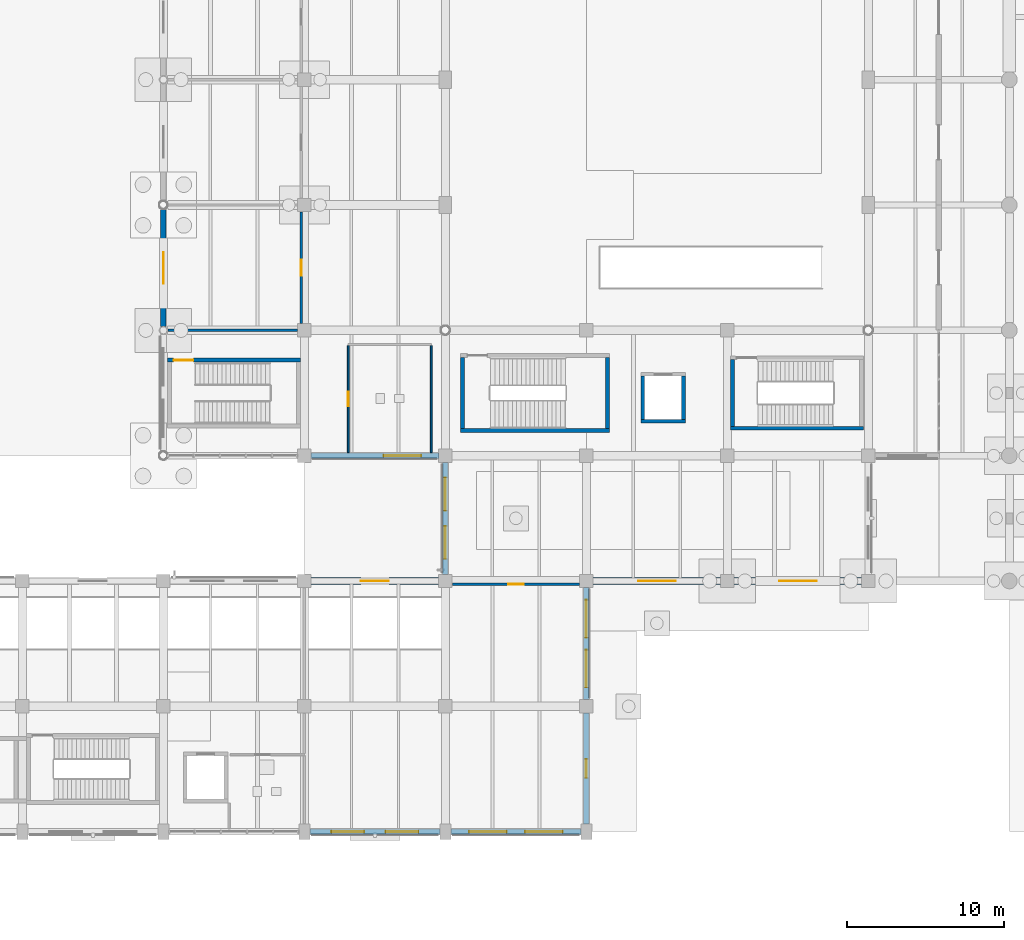
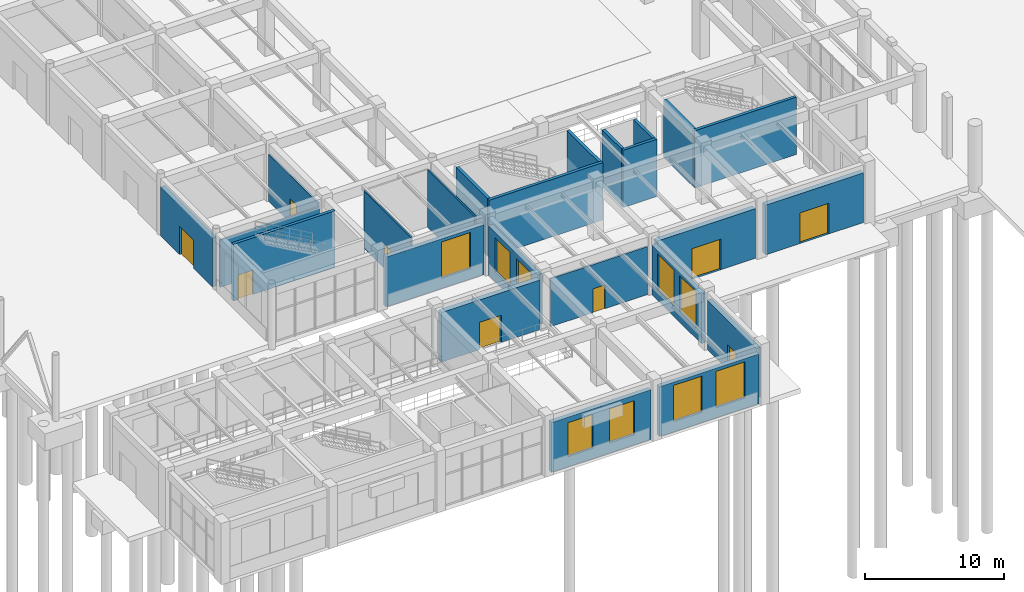
# One storey, part 89 of 121: 24 walls, 9 doors, 9 windows, 18 openings.
"""IFC4 building model written with IfcOpenShell, lengths in metres."""

from ifc_helpers import new_model, si_unit, derived_unit, direction, frame, frame_2d, origin, place, context, subcontext, project, spatial, rectangle, extrude, material, layer, layer_set, type_object, element, fill, save


model = new_model("IFC4")

# Units and contexts
model_context = context("Model", 3, precision=1e-05, world=origin(), true_north=direction((0.0, 1.0)))
body_context = subcontext(model_context, "Body", "Model", "MODEL_VIEW")
ifc_project = project(units=[si_unit("LENGTHUNIT", "METRE"), si_unit("AREAUNIT", "SQUARE_METRE"), si_unit("VOLUMEUNIT", "CUBIC_METRE"), si_unit("PLANEANGLEUNIT", "RADIAN"), si_unit("MASSUNIT", "GRAM", prefix="KILO"), derived_unit("THERMALTRANSMITTANCEUNIT", [(si_unit("MASSUNIT", "GRAM", prefix="KILO"), 1), (si_unit("TIMEUNIT", "SECOND"), -3), (si_unit("THERMODYNAMICTEMPERATUREUNIT", "KELVIN"), -1)])], contexts=[model_context])

# Site, building, storey
site_placement = place(None, origin())
site = spatial("IfcSite", under=ifc_project, at=site_placement, CompositionType="ELEMENT")
building_placement = place(site_placement, origin())
building = spatial("IfcBuilding", under=site, at=building_placement, Name="Zhenchuan Archway Interchange", CompositionType="ELEMENT")
storey_placement = place(building_placement, origin())
storey = spatial("IfcBuildingStorey", under=building, at=storey_placement, Name="L00", CompositionType="ELEMENT", Elevation=0.0)

# Wall, opening, door
ifc_material_1 = material(Name="Granite Stone Cladding", Category="masonry")
ifc_layer_1 = layer(ifc_material_1, 0.419921875)
ifc_layer_set_1 = layer_set([ifc_layer_1], Name="Granite Stone Cladding")
wall_type_1 = type_object("IfcWallType", Name="EW_GRANITE_420", PredefinedType="STANDARD", material=ifc_layer_set_1)
wall_1_placement = place(storey_placement, frame((62.576904296875, 16.0, 0.0), z_axis=(0.0, 0.0, 1.0), x_axis=(-1.0, 0.0, 0.0)))
wall_1 = element("IfcWall", 1, at=wall_1_placement, inside=storey, type_object=wall_type_1, Name="Exterior wall L00-042", PredefinedType="STANDARD", context=body_context, shape_type="SweptSolid", body=[
    extrude(rectangle(XDim=8.15380859375, YDim=0.419921875, at=frame_2d((4.076904296875, 0.0))), origin(), (0.0, 0.0, 1.0), 4.3798828125),
])
opening_1_placement = place(wall_1_placement, frame((2.876953125, 0.0, 0.0)))
opening_1 = element("IfcOpeningElement", 2, at=opening_1_placement, cuts=wall_1, Name="Opening ED-01", PredefinedType="OPENING", context=body_context, shape_type="SweptSolid", body=[
    extrude(rectangle(XDim=2.39990234375, YDim=2.699951171875, at=frame_2d((1.199951171875, 1.35009765625))), frame((0.0, 0.221923828125, 0.0), z_axis=(0.0, -1.0, 0.0), x_axis=(1.0, 0.0, 0.0)), (0.0, 0.0, 1.0), 0.44384765625),
])
ifc_material_2 = material(Name="Anodised Aluminium", Category="aluminium")
door_type_1 = type_object("IfcDoorType", Name="ED_MAIN_2400x2700", OperationType="DOUBLE_DOOR_SINGLE_SWING", PredefinedType="DOOR", material=ifc_material_2)
door_1_placement = place(opening_1_placement, origin())
door_1 = element("IfcDoor", 3, at=door_1_placement, inside=storey, type_object=door_type_1, Name="Exterior entrance door L00-019", OperationType="SINGLE_SWING_LEFT", OverallHeight=2.699951171875, OverallWidth=2.39990234375, PredefinedType="DOOR", context=body_context, shape_type="SweptSolid", body=[
    extrude(rectangle(XDim=2.39990234375, YDim=2.699951171875, at=frame_2d((1.199951171875, 1.35009765625))), frame((0.0, 0.02490234375, 0.0), z_axis=(0.0, -1.0, 0.0), x_axis=(1.0, 0.0, 0.0)), (0.0, 0.0, 1.0), 0.050048828125),
])
fill(opening_1, door_1)

wall_2_placement = place(storey_placement, frame((53.576904296875, 16.0, 0.0), z_axis=(0.0, 0.0, 1.0), x_axis=(-1.0, 0.0, 0.0)))
wall_2 = element("IfcWall", 4, at=wall_2_placement, inside=storey, type_object=wall_type_1, Name="Exterior wall L00-043", PredefinedType="STANDARD", context=body_context, shape_type="SweptSolid", body=[
    extrude(rectangle(XDim=8.15380859375, YDim=0.419921875, at=frame_2d((4.076904296875, 0.0))), origin(), (0.0, 0.0, 1.0), 4.3798828125),
])
opening_2_placement = place(wall_2_placement, frame((2.876953125, 0.0, 0.0)))
opening_2 = element("IfcOpeningElement", 5, at=opening_2_placement, cuts=wall_2, Name="Opening ED-01", PredefinedType="OPENING", context=body_context, shape_type="SweptSolid", body=[
    extrude(rectangle(XDim=2.39990234375, YDim=2.699951171875, at=frame_2d((1.199951171875, 1.35009765625))), frame((0.0, 0.221923828125, 0.0), z_axis=(0.0, -1.0, 0.0), x_axis=(1.0, 0.0, 0.0)), (0.0, 0.0, 1.0), 0.44384765625),
])
door_2_placement = place(opening_2_placement, origin())
door_2 = element("IfcDoor", 6, at=door_2_placement, inside=storey, type_object=door_type_1, Name="Exterior entrance door L00-020", OperationType="SINGLE_SWING_LEFT", OverallHeight=2.699951171875, OverallWidth=2.39990234375, PredefinedType="DOOR", context=body_context, shape_type="SweptSolid", body=[
    extrude(rectangle(XDim=2.39990234375, YDim=2.699951171875, at=frame_2d((1.199951171875, 1.35009765625))), frame((0.0, 0.02490234375, 0.0), z_axis=(0.0, -1.0, 0.0), x_axis=(1.0, 0.0, 0.0)), (0.0, 0.0, 1.0), 0.050048828125),
])
fill(opening_2, door_2)

wall_3_placement = place(storey_placement, frame((27.423095703125, 16.0, 0.0), z_axis=(0.0, 0.0, 1.0), x_axis=(1.0, 0.0, 0.0)))
wall_3 = element("IfcWall", 7, at=wall_3_placement, inside=storey, type_object=wall_type_1, Name="Exterior wall L00-056", PredefinedType="STANDARD", context=body_context, shape_type="SweptSolid", body=[
    extrude(rectangle(XDim=8.15380859375, YDim=0.419921875, at=frame_2d((4.076904296875, 0.0))), origin(), (0.0, 0.0, 1.0), 4.3798828125),
])
opening_3_placement = place(wall_3_placement, frame((3.177001953125, 0.0, 0.0)))
opening_3 = element("IfcOpeningElement", 8, at=opening_3_placement, cuts=wall_3, Name="Opening ED-04", PredefinedType="OPENING", context=body_context, shape_type="SweptSolid", body=[
    extrude(rectangle(XDim=1.800048828125, YDim=2.39990234375, at=frame_2d((0.89990234375, 1.199951171875))), frame((0.0, 0.221923828125, 0.0), z_axis=(0.0, -1.0, 0.0), x_axis=(1.0, 0.0, 0.0)), (0.0, 0.0, 1.0), 0.44384765625),
])
door_type_2 = type_object("IfcDoorType", Name="ED_ENT_1800x2400", OperationType="DOUBLE_DOOR_SINGLE_SWING", PredefinedType="DOOR", material=ifc_material_2)
door_3_placement = place(opening_3_placement, origin())
door_3 = element("IfcDoor", 9, at=door_3_placement, inside=storey, type_object=door_type_2, Name="Exterior entrance door L00-024", OperationType="SINGLE_SWING_LEFT", OverallHeight=2.39990234375, OverallWidth=1.800048828125, PredefinedType="DOOR", context=body_context, shape_type="SweptSolid", body=[
    extrude(rectangle(XDim=1.800048828125, YDim=2.39990234375, at=frame_2d((0.89990234375, 1.199951171875))), frame((0.0, 0.02490234375, 0.0), z_axis=(0.0, -1.0, 0.0), x_axis=(1.0, 0.0, 0.0)), (0.0, 0.0, 1.0), 0.050048828125),
])
fill(opening_3, door_3)

# Wall, openings, windows
ifc_material_3 = material(Name="Terracotta Masonry", Category="masonry")
ifc_layer_2 = layer(ifc_material_3, 0.360107421875)
ifc_layer_set_2 = layer_set([ifc_layer_2], Name="Terracotta Masonry")
wall_type_2 = type_object("IfcWallType", Name="EW_TERRA_360", PredefinedType="STANDARD", material=ifc_layer_set_2)
wall_4_placement = place(storey_placement, frame((36.0, 16.423095703125, 0.0), z_axis=(0.0, 0.0, 1.0), x_axis=(0.0, 1.0, 0.0)))
wall_4 = element("IfcWall", 10, at=wall_4_placement, inside=storey, type_object=wall_type_2, Name="Exterior wall L00-001", PredefinedType="STANDARD", context=body_context, shape_type="SweptSolid", body=[
    extrude(rectangle(XDim=7.15380859375, YDim=0.360107421875, at=frame_2d((3.576904296875, 0.0))), origin(), (0.0, 0.0, 1.0), 4.3798828125),
])
opening_4_placement = place(wall_4_placement, frame((0.984619140625, 0.0, 0.89990234375)))
opening_4 = element("IfcOpeningElement", 11, at=opening_4_placement, cuts=wall_4, Name="Opening W-02", PredefinedType="OPENING", context=body_context, shape_type="SweptSolid", body=[
    extrude(rectangle(XDim=2.10009765625, YDim=3.0, at=frame_2d((1.050048828125, 1.5))), frame((0.0, 0.19189453125, 0.0), z_axis=(0.0, -1.0, 0.0), x_axis=(1.0, 0.0, 0.0)), (0.0, 0.0, 1.0), 0.384033203125),
])
opening_5_placement = place(wall_4_placement, frame((4.0693359375, 0.0, 0.89990234375)))
opening_5 = element("IfcOpeningElement", 12, at=opening_5_placement, cuts=wall_4, Name="Opening W-02", PredefinedType="OPENING", context=body_context, shape_type="SweptSolid", body=[
    extrude(rectangle(XDim=2.10009765625, YDim=3.0, at=frame_2d((1.050048828125, 1.5))), frame((0.0, 0.19189453125, 0.0), z_axis=(0.0, -1.0, 0.0), x_axis=(1.0, 0.0, 0.0)), (0.0, 0.0, 1.0), 0.384033203125),
])
ifc_material_4 = material(Name="Double Low-E Insulated Glazing", Category="glass")
window_type_1 = type_object("IfcWindowType", Name="WN_ARCH_2100x3000", PartitioningType="SINGLE_PANEL", PredefinedType="WINDOW", material=ifc_material_4)
window_1_placement = place(opening_4_placement, origin())
window_1 = element("IfcWindow", 13, at=window_1_placement, inside=storey, type_object=window_type_1, Name="Window L00-0001", OverallHeight=3.0, OverallWidth=2.10009765625, PartitioningType="SINGLE_PANEL", PredefinedType="WINDOW", context=body_context, shape_type="SweptSolid", body=[
    extrude(rectangle(XDim=2.10009765625, YDim=3.0, at=frame_2d((1.050048828125, 1.5))), frame((0.0, 0.030029296875, 0.0), z_axis=(0.0, -1.0, 0.0), x_axis=(1.0, 0.0, 0.0)), (0.0, 0.0, 1.0), 0.06005859375),
])
fill(opening_4, window_1)
window_2_placement = place(opening_5_placement, origin())
window_2 = element("IfcWindow", 14, at=window_2_placement, inside=storey, type_object=window_type_1, Name="Window L00-0002", OverallHeight=3.0, OverallWidth=2.10009765625, PartitioningType="SINGLE_PANEL", PredefinedType="WINDOW", context=body_context, shape_type="SweptSolid", body=[
    extrude(rectangle(XDim=2.10009765625, YDim=3.0, at=frame_2d((1.050048828125, 1.5))), frame((0.0, 0.030029296875, 0.0), z_axis=(0.0, -1.0, 0.0), x_axis=(1.0, 0.0, 0.0)), (0.0, 0.0, 1.0), 0.06005859375),
])
fill(opening_5, window_2)

# Wall, opening, window
wall_5_placement = place(storey_placement, frame((35.576904296875, 24.0, 0.0), z_axis=(0.0, 0.0, 1.0), x_axis=(-1.0, 0.0, 0.0)))
wall_5 = element("IfcWall", 15, at=wall_5_placement, inside=storey, type_object=wall_type_2, Name="Exterior wall L00-002", PredefinedType="STANDARD", context=body_context, shape_type="SweptSolid", body=[
    extrude(rectangle(XDim=8.15380859375, YDim=0.360107421875, at=frame_2d((4.076904296875, 0.0))), origin(), (0.0, 0.0, 1.0), 4.3798828125),
])
opening_6_placement = place(wall_5_placement, frame((1.117919921875, 0.0, 0.89990234375)))
opening_6 = element("IfcOpeningElement", 16, at=opening_6_placement, cuts=wall_5, Name="Opening W-01", PredefinedType="OPENING", context=body_context, shape_type="SweptSolid", body=[
    extrude(rectangle(XDim=2.39990234375, YDim=3.199951171875, at=frame_2d((1.199951171875, 1.60009765625))), frame((0.0, 0.19189453125, 0.0), z_axis=(0.0, -1.0, 0.0), x_axis=(1.0, 0.0, 0.0)), (0.0, 0.0, 1.0), 0.384033203125),
])
window_type_2 = type_object("IfcWindowType", Name="WN_ARCH_2400x3200", PartitioningType="SINGLE_PANEL", PredefinedType="WINDOW", material=ifc_material_4)
window_3_placement = place(opening_6_placement, origin())
window_3 = element("IfcWindow", 17, at=window_3_placement, inside=storey, type_object=window_type_2, Name="Window L00-0003", OverallHeight=3.199951171875, OverallWidth=2.39990234375, PartitioningType="SINGLE_PANEL", PredefinedType="WINDOW", context=body_context, shape_type="SweptSolid", body=[
    extrude(rectangle(XDim=2.39990234375, YDim=3.199951171875, at=frame_2d((1.199951171875, 1.60009765625))), frame((0.0, 0.030029296875, 0.0), z_axis=(0.0, -1.0, 0.0), x_axis=(1.0, 0.0, 0.0)), (0.0, 0.0, 1.0), 0.06005859375),
])
fill(opening_6, window_3)

# Wall, opening, door
wall_6_placement = place(storey_placement, frame((18.0, 32.2509765625, 0.0), z_axis=(0.0, 0.0, 1.0), x_axis=(0.0, 1.0, 0.0)))
wall_6 = element("IfcWall", 18, at=wall_6_placement, inside=storey, type_object=wall_type_2, Name="Exterior wall L00-005", PredefinedType="STANDARD", context=body_context, shape_type="SweptSolid", body=[
    extrude(rectangle(XDim=7.472412109375, YDim=0.360107421875, at=frame_2d((3.736328125, 0.0))), origin(), (0.0, 0.0, 1.0), 4.320068359375),
])
opening_7_placement = place(wall_6_placement, frame((2.736328125, 0.0, 0.0)))
opening_7 = element("IfcOpeningElement", 19, at=opening_7_placement, cuts=wall_6, Name="Opening ED-03", PredefinedType="OPENING", context=body_context, shape_type="SweptSolid", body=[
    extrude(rectangle(XDim=2.0, YDim=2.5, at=frame_2d((1.0, 1.25))), frame((0.0, 0.19189453125, 0.0), z_axis=(0.0, -1.0, 0.0), x_axis=(1.0, 0.0, 0.0)), (0.0, 0.0, 1.0), 0.384033203125),
])
door_type_3 = type_object("IfcDoorType", Name="ED_BUS_2000x2500", OperationType="SLIDING_TO_LEFT", PredefinedType="DOOR", material=ifc_material_2)
door_4_placement = place(opening_7_placement, origin())
door_4 = element("IfcDoor", 20, at=door_4_placement, inside=storey, type_object=door_type_3, Name="Exterior entrance door L00-001", OperationType="SINGLE_SWING_LEFT", OverallHeight=2.5, OverallWidth=2.0, PredefinedType="DOOR", context=body_context, shape_type="SweptSolid", body=[
    extrude(rectangle(XDim=2.0, YDim=2.5, at=frame_2d((1.0, 1.25))), frame((0.0, 0.02490234375, 0.0), z_axis=(0.0, -1.0, 0.0), x_axis=(1.0, 0.0, 0.0)), (0.0, 0.0, 1.0), 0.050048828125),
])
fill(opening_7, door_4)

# Wall, openings, windows
wall_7_placement = place(storey_placement, frame((45.0, 15.576904296875, 0.0), z_axis=(0.0, 0.0, 1.0), x_axis=(0.0, -1.0, 0.0)))
wall_7 = element("IfcWall", 21, at=wall_7_placement, inside=storey, type_object=wall_type_2, Name="Exterior wall L00-044", PredefinedType="STANDARD", context=body_context, shape_type="SweptSolid", body=[
    extrude(rectangle(XDim=7.15380859375, YDim=0.360107421875, at=frame_2d((3.576904296875, 0.0))), origin(), (0.0, 0.0, 1.0), 4.3798828125),
])
opening_8_placement = place(wall_7_placement, frame((0.78466796875, 0.0, 0.89990234375)))
opening_8 = element("IfcOpeningElement", 22, at=opening_8_placement, cuts=wall_7, Name="Opening W-01", PredefinedType="OPENING", context=body_context, shape_type="SweptSolid", body=[
    extrude(rectangle(XDim=2.39990234375, YDim=3.199951171875, at=frame_2d((1.199951171875, 1.60009765625))), frame((0.0, 0.19189453125, 0.0), z_axis=(0.0, -1.0, 0.0), x_axis=(1.0, 0.0, 0.0)), (0.0, 0.0, 1.0), 0.384033203125),
])
opening_9_placement = place(wall_7_placement, frame((3.96923828125, 0.0, 0.89990234375)))
opening_9 = element("IfcOpeningElement", 23, at=opening_9_placement, cuts=wall_7, Name="Opening W-01", PredefinedType="OPENING", context=body_context, shape_type="SweptSolid", body=[
    extrude(rectangle(XDim=2.39990234375, YDim=3.199951171875, at=frame_2d((1.199951171875, 1.60009765625))), frame((0.0, 0.19189453125, 0.0), z_axis=(0.0, -1.0, 0.0), x_axis=(1.0, 0.0, 0.0)), (0.0, 0.0, 1.0), 0.384033203125),
])
window_4_placement = place(opening_8_placement, origin())
window_4 = element("IfcWindow", 24, at=window_4_placement, inside=storey, type_object=window_type_2, Name="Window L00-0027", OverallHeight=3.199951171875, OverallWidth=2.39990234375, PartitioningType="SINGLE_PANEL", PredefinedType="WINDOW", context=body_context, shape_type="SweptSolid", body=[
    extrude(rectangle(XDim=2.39990234375, YDim=3.199951171875, at=frame_2d((1.199951171875, 1.60009765625))), frame((0.0, 0.030029296875, 0.0), z_axis=(0.0, -1.0, 0.0), x_axis=(1.0, 0.0, 0.0)), (0.0, 0.0, 1.0), 0.06005859375),
])
fill(opening_8, window_4)
window_5_placement = place(opening_9_placement, origin())
window_5 = element("IfcWindow", 25, at=window_5_placement, inside=storey, type_object=window_type_2, Name="Window L00-0028", OverallHeight=3.199951171875, OverallWidth=2.39990234375, PartitioningType="SINGLE_PANEL", PredefinedType="WINDOW", context=body_context, shape_type="SweptSolid", body=[
    extrude(rectangle(XDim=2.39990234375, YDim=3.199951171875, at=frame_2d((1.199951171875, 1.60009765625))), frame((0.0, 0.030029296875, 0.0), z_axis=(0.0, -1.0, 0.0), x_axis=(1.0, 0.0, 0.0)), (0.0, 0.0, 1.0), 0.06005859375),
])
fill(opening_9, window_5)

# Wall, opening, door
wall_8_placement = place(storey_placement, frame((45.0, 7.576904296875, 0.0), z_axis=(0.0, 0.0, 1.0), x_axis=(0.0, -1.0, 0.0)))
wall_8 = element("IfcWall", 26, at=wall_8_placement, inside=storey, type_object=wall_type_2, Name="Exterior wall L00-045", PredefinedType="STANDARD", context=body_context, shape_type="SweptSolid", body=[
    extrude(rectangle(XDim=7.078857421875, YDim=0.360107421875, at=frame_2d((3.53955078125, 0.0))), origin(), (0.0, 0.0, 1.0), 4.3798828125),
])
opening_10_placement = place(wall_8_placement, frame((2.939453125, 0.0, 0.0)))
opening_10 = element("IfcOpeningElement", 27, at=opening_10_placement, cuts=wall_8, Name="Opening ED-06", PredefinedType="OPENING", context=body_context, shape_type="SweptSolid", body=[
    extrude(rectangle(XDim=1.199951171875, YDim=2.199951171875, at=frame_2d((0.60009765625, 1.10009765625))), frame((0.0, 0.19189453125, 0.0), z_axis=(0.0, -1.0, 0.0), x_axis=(1.0, 0.0, 0.0)), (0.0, 0.0, 1.0), 0.384033203125),
])
ifc_material_5 = material(Name="Painted Galvanised Steel", Category="steel")
door_type_4 = type_object("IfcDoorType", Name="ED_EXIT_1200x2200", OperationType="NOTDEFINED", PredefinedType="DOOR", material=ifc_material_5)
door_5_placement = place(opening_10_placement, origin())
door_5 = element("IfcDoor", 28, at=door_5_placement, inside=storey, type_object=door_type_4, Name="Exterior entrance door L00-021", OperationType="SINGLE_SWING_LEFT", OverallHeight=2.199951171875, OverallWidth=1.199951171875, PredefinedType="DOOR", context=body_context, shape_type="SweptSolid", body=[
    extrude(rectangle(XDim=1.199951171875, YDim=2.199951171875, at=frame_2d((0.60009765625, 1.10009765625))), frame((0.0, 0.02490234375, 0.0), z_axis=(0.0, -1.0, 0.0), x_axis=(1.0, 0.0, 0.0)), (0.0, 0.0, 1.0), 0.050048828125),
])
fill(opening_10, door_5)

# Wall, openings, windows
wall_9_placement = place(storey_placement, frame((44.652099609375, 0.0, 0.0), z_axis=(0.0, 0.0, 1.0), x_axis=(-1.0, 0.0, 0.0)))
wall_9 = element("IfcWall", 29, at=wall_9_placement, inside=storey, type_object=wall_type_2, Name="Exterior wall L00-046", PredefinedType="STANDARD", context=body_context, shape_type="SweptSolid", body=[
    extrude(rectangle(XDim=8.30419921875, YDim=0.360107421875, at=frame_2d((4.152099609375, 0.0))), origin(), (0.0, 0.0, 1.0), 4.3798828125),
])
opening_11_placement = place(wall_9_placement, frame((1.16796875, 0.0, 0.89990234375)))
opening_11 = element("IfcOpeningElement", 30, at=opening_11_placement, cuts=wall_9, Name="Opening W-01", PredefinedType="OPENING", context=body_context, shape_type="SweptSolid", body=[
    extrude(rectangle(XDim=2.39990234375, YDim=3.199951171875, at=frame_2d((1.199951171875, 1.60009765625))), frame((0.0, 0.19189453125, 0.0), z_axis=(0.0, -1.0, 0.0), x_axis=(1.0, 0.0, 0.0)), (0.0, 0.0, 1.0), 0.384033203125),
])
opening_12_placement = place(wall_9_placement, frame((4.736083984375, 0.0, 0.89990234375)))
opening_12 = element("IfcOpeningElement", 31, at=opening_12_placement, cuts=wall_9, Name="Opening W-01", PredefinedType="OPENING", context=body_context, shape_type="SweptSolid", body=[
    extrude(rectangle(XDim=2.39990234375, YDim=3.199951171875, at=frame_2d((1.199951171875, 1.60009765625))), frame((0.0, 0.19189453125, 0.0), z_axis=(0.0, -1.0, 0.0), x_axis=(1.0, 0.0, 0.0)), (0.0, 0.0, 1.0), 0.384033203125),
])
window_6_placement = place(opening_11_placement, origin())
window_6 = element("IfcWindow", 32, at=window_6_placement, inside=storey, type_object=window_type_2, Name="Window L00-0029", OverallHeight=3.199951171875, OverallWidth=2.39990234375, PartitioningType="SINGLE_PANEL", PredefinedType="WINDOW", context=body_context, shape_type="SweptSolid", body=[
    extrude(rectangle(XDim=2.39990234375, YDim=3.199951171875, at=frame_2d((1.199951171875, 1.60009765625))), frame((0.0, 0.030029296875, 0.0), z_axis=(0.0, -1.0, 0.0), x_axis=(1.0, 0.0, 0.0)), (0.0, 0.0, 1.0), 0.06005859375),
])
fill(opening_11, window_6)
window_7_placement = place(opening_12_placement, origin())
window_7 = element("IfcWindow", 33, at=window_7_placement, inside=storey, type_object=window_type_2, Name="Window L00-0030", OverallHeight=3.199951171875, OverallWidth=2.39990234375, PartitioningType="SINGLE_PANEL", PredefinedType="WINDOW", context=body_context, shape_type="SweptSolid", body=[
    extrude(rectangle(XDim=2.39990234375, YDim=3.199951171875, at=frame_2d((1.199951171875, 1.60009765625))), frame((0.0, 0.030029296875, 0.0), z_axis=(0.0, -1.0, 0.0), x_axis=(1.0, 0.0, 0.0)), (0.0, 0.0, 1.0), 0.06005859375),
])
fill(opening_12, window_7)

wall_10_placement = place(storey_placement, frame((35.652099609375, 0.0, 0.0), z_axis=(0.0, 0.0, 1.0), x_axis=(-1.0, 0.0, 0.0)))
wall_10 = element("IfcWall", 34, at=wall_10_placement, inside=storey, type_object=wall_type_2, Name="Exterior wall L00-047", PredefinedType="STANDARD", context=body_context, shape_type="SweptSolid", body=[
    extrude(rectangle(XDim=8.30419921875, YDim=0.360107421875, at=frame_2d((4.152099609375, 0.0))), origin(), (0.0, 0.0, 1.0), 4.3798828125),
])
opening_13_placement = place(wall_10_placement, frame((1.367919921875, 0.0, 0.89990234375)))
opening_13 = element("IfcOpeningElement", 35, at=opening_13_placement, cuts=wall_10, Name="Opening W-02", PredefinedType="OPENING", context=body_context, shape_type="SweptSolid", body=[
    extrude(rectangle(XDim=2.10009765625, YDim=3.0, at=frame_2d((1.050048828125, 1.5))), frame((0.0, 0.19189453125, 0.0), z_axis=(0.0, -1.0, 0.0), x_axis=(1.0, 0.0, 0.0)), (0.0, 0.0, 1.0), 0.384033203125),
])
opening_14_placement = place(wall_10_placement, frame((4.8359375, 0.0, 0.89990234375)))
opening_14 = element("IfcOpeningElement", 36, at=opening_14_placement, cuts=wall_10, Name="Opening W-02", PredefinedType="OPENING", context=body_context, shape_type="SweptSolid", body=[
    extrude(rectangle(XDim=2.10009765625, YDim=3.0, at=frame_2d((1.050048828125, 1.5))), frame((0.0, 0.19189453125, 0.0), z_axis=(0.0, -1.0, 0.0), x_axis=(1.0, 0.0, 0.0)), (0.0, 0.0, 1.0), 0.384033203125),
])
window_8_placement = place(opening_13_placement, origin())
window_8 = element("IfcWindow", 37, at=window_8_placement, inside=storey, type_object=window_type_1, Name="Window L00-0031", OverallHeight=3.0, OverallWidth=2.10009765625, PartitioningType="SINGLE_PANEL", PredefinedType="WINDOW", context=body_context, shape_type="SweptSolid", body=[
    extrude(rectangle(XDim=2.10009765625, YDim=3.0, at=frame_2d((1.050048828125, 1.5))), frame((0.0, 0.030029296875, 0.0), z_axis=(0.0, -1.0, 0.0), x_axis=(1.0, 0.0, 0.0)), (0.0, 0.0, 1.0), 0.06005859375),
])
fill(opening_13, window_8)
window_9_placement = place(opening_14_placement, origin())
window_9 = element("IfcWindow", 38, at=window_9_placement, inside=storey, type_object=window_type_1, Name="Window L00-0032", OverallHeight=3.0, OverallWidth=2.10009765625, PartitioningType="SINGLE_PANEL", PredefinedType="WINDOW", context=body_context, shape_type="SweptSolid", body=[
    extrude(rectangle(XDim=2.10009765625, YDim=3.0, at=frame_2d((1.050048828125, 1.5))), frame((0.0, 0.030029296875, 0.0), z_axis=(0.0, -1.0, 0.0), x_axis=(1.0, 0.0, 0.0)), (0.0, 0.0, 1.0), 0.06005859375),
])
fill(opening_14, window_9)

# Walls
ifc_material_6 = material(Name="Concrete C40", Category="concrete")
ifc_layer_3 = layer(ifc_material_6, 0.239990234375)
ifc_layer_set_3 = layer_set([ifc_layer_3], Name="Concrete C40")
wall_type_3 = type_object("IfcWallType", Name="WL_LIFT_240", PredefinedType="SHEAR", material=ifc_layer_set_3)
wall_11_placement = place(storey_placement, frame((48.47998046875, 26.199951171875, 0.0), z_axis=(0.0, 0.0, 1.0), x_axis=(1.0, 0.0, 0.0)))
element("IfcWall", 39, at=wall_11_placement, inside=storey, type_object=wall_type_3, Name="Lift LF-01 south shaft wall (L00)", PredefinedType="SHEAR", context=body_context, shape_type="SweptSolid", body=[
    extrude(rectangle(XDim=2.840087890625, YDim=0.239990234375, at=frame_2d((1.419921875, 0.0))), origin(), (0.0, 0.0, 1.0), 5.050048828125),
])
for number, where, z_axis, x_axis, name in (
    (40, (48.60009765625, 29.080078125, 0.0), (0.0, 0.0, 1.0), (0.0, -1.0, 0.0), "Lift LF-01 west shaft wall (L00)"),
    (41, (51.199951171875, 26.320068359375, 0.0), (0.0, 0.0, 1.0), (0.0, 1.0, 0.0), "Lift LF-01 east shaft wall (L00)"),
):
    element("IfcWall", number, at=place(storey_placement, frame(where, z_axis=z_axis, x_axis=x_axis)), inside=storey, type_object=wall_type_3, Name=name, PredefinedType="SHEAR", context=body_context, shape_type="SweptSolid", body=[
        extrude(rectangle(XDim=2.760009765625, YDim=0.239990234375, at=frame_2d((1.3798828125, 0.0))), origin(), (0.0, 0.0, 1.0), 5.050048828125),
    ])
ifc_material_7 = material(Name="Gypsum Plasterboard", Category="gypsum")
ifc_layer_4 = layer(ifc_material_7, 0.14990234375)
ifc_layer_set_4 = layer_set([ifc_layer_4], Name="Gypsum Plasterboard")
wall_type_4 = type_object("IfcWallType", Name="WL_PART_150", PredefinedType="STANDARD", material=ifc_layer_set_4)
wall_12_placement = place(storey_placement, frame((18.279052734375, 32.0, 0.0), z_axis=(0.0, 0.0, 1.0), x_axis=(1.0, 0.0, 0.0)))
element("IfcWall", 42, at=wall_12_placement, inside=storey, type_object=wall_type_4, Name="Bus Bay 01 Boarding Gate S partition (L00)", PredefinedType="STANDARD", context=body_context, shape_type="SweptSolid", body=[
    extrude(rectangle(XDim=8.27099609375, YDim=0.14990234375, at=frame_2d((4.135498046875, 0.0))), origin(), (0.0, 0.0, 1.0), 4.169921875),
])

# Wall, opening, door
wall_13_placement = place(storey_placement, frame((26.800048828125, 32.449951171875, 0.0), z_axis=(0.0, 0.0, 1.0), x_axis=(0.0, 1.0, 0.0)))
wall_13 = element("IfcWall", 43, at=wall_13_placement, inside=storey, type_object=wall_type_4, Name="Bus Bay 01 Boarding Gate E partition (L00)", PredefinedType="STANDARD", context=body_context, shape_type="SweptSolid", body=[
    extrude(rectangle(XDim=7.10009765625, YDim=0.14990234375, at=frame_2d((3.550048828125, 0.0))), origin(), (0.0, 0.0, 1.0), 4.169921875),
])
opening_15_placement = place(wall_13_placement, frame((3.050048828125, 0.0, 0.0)))
opening_15 = element("IfcOpeningElement", 44, at=opening_15_placement, cuts=wall_13, Name="Opening ID-02", PredefinedType="OPENING", context=body_context, shape_type="SweptSolid", body=[
    extrude(rectangle(XDim=1.0, YDim=2.10009765625, at=frame_2d((0.5, 1.050048828125))), frame((0.0, 0.0869140625, 0.0), z_axis=(0.0, -1.0, 0.0), x_axis=(1.0, 0.0, 0.0)), (0.0, 0.0, 1.0), 0.173828125),
])
ifc_material_8 = material(Name="Hardwood Timber", Category="wood")
door_type_5 = type_object("IfcDoorType", Name="DR_OPS_100", OperationType="NOTDEFINED", PredefinedType="DOOR", material=ifc_material_8)
door_6_placement = place(opening_15_placement, origin())
door_6 = element("IfcDoor", 45, at=door_6_placement, inside=storey, type_object=door_type_5, Name="Bus Bay 01 Boarding Gate door (L00)", OperationType="SINGLE_SWING_LEFT", OverallHeight=2.10009765625, OverallWidth=1.0, PredefinedType="DOOR", context=body_context, shape_type="SweptSolid", body=[
    extrude(rectangle(XDim=1.0, YDim=2.10009765625, at=frame_2d((0.5, 1.050048828125))), frame((0.0, 0.02490234375, 0.0), z_axis=(0.0, -1.0, 0.0), x_axis=(1.0, 0.0, 0.0)), (0.0, 0.0, 1.0), 0.050048828125),
])
fill(opening_15, door_6)

wall_14_placement = place(storey_placement, frame((36.449951171875, 15.800048828125, 0.0), z_axis=(0.0, 0.0, 1.0), x_axis=(1.0, 0.0, 0.0)))
wall_14 = element("IfcWall", 46, at=wall_14_placement, inside=storey, type_object=wall_type_4, Name="Cycle Repair and Servicing Workshop N partition (L00)", PredefinedType="STANDARD", context=body_context, shape_type="SweptSolid", body=[
    extrude(rectangle(XDim=8.10009765625, YDim=0.14990234375, at=frame_2d((4.050048828125, 0.0))), origin(), (0.0, 0.0, 1.0), 4.22998046875),
])
opening_16_placement = place(wall_14_placement, frame((3.550048828125, 0.0, 0.0)))
opening_16 = element("IfcOpeningElement", 47, at=opening_16_placement, cuts=wall_14, Name="Opening ID-02", PredefinedType="OPENING", context=body_context, shape_type="SweptSolid", body=[
    extrude(rectangle(XDim=1.0, YDim=2.10009765625, at=frame_2d((0.5, 1.050048828125))), frame((0.0, 0.0869140625, 0.0), z_axis=(0.0, -1.0, 0.0), x_axis=(1.0, 0.0, 0.0)), (0.0, 0.0, 1.0), 0.173828125),
])
door_7_placement = place(opening_16_placement, origin())
door_7 = element("IfcDoor", 48, at=door_7_placement, inside=storey, type_object=door_type_5, Name="Cycle Repair and Servicing Workshop door (L00)", OperationType="SINGLE_SWING_RIGHT", OverallHeight=2.10009765625, OverallWidth=1.0, PredefinedType="DOOR", context=body_context, shape_type="SweptSolid", body=[
    extrude(rectangle(XDim=1.0, YDim=2.10009765625, at=frame_2d((0.5, 1.050048828125))), frame((0.0, 0.02490234375, 0.0), z_axis=(0.0, -1.0, 0.0), x_axis=(1.0, 0.0, 0.0)), (0.0, 0.0, 1.0), 0.050048828125),
])
fill(opening_16, door_7)

# Walls
ifc_layer_5 = layer(ifc_material_6, 0.25)
ifc_layer_set_5 = layer_set([ifc_layer_5], Name="Concrete C40")
wall_type_5 = type_object("IfcWallType", Name="WL_STAIR_250", PredefinedType="SHEAR", material=ifc_layer_set_5)
wall_15_placement = place(storey_placement, frame((36.97509765625, 25.60009765625, 0.0), z_axis=(0.0, 0.0, 1.0), x_axis=(1.0, 0.0, 0.0)))
element("IfcWall", 49, at=wall_15_placement, inside=storey, type_object=wall_type_5, Name="Stair ST-M1 south wall (L00)", PredefinedType="SHEAR", context=body_context, shape_type="SweptSolid", body=[
    extrude(rectangle(XDim=9.5, YDim=0.25, at=frame_2d((4.75, 0.0))), origin(), (0.0, 0.0, 1.0), 5.050048828125),
])
for number, where, z_axis, x_axis, name in (
    (50, (37.10009765625, 30.27490234375, 0.0), (0.0, 0.0, 1.0), (0.0, -1.0, 0.0), "Stair ST-M1 west wall (L00)"),
    (51, (46.35009765625, 25.72509765625, 0.0), (0.0, 0.0, 1.0), (0.0, 1.0, 0.0), "Stair ST-M1 east wall (L00)"),
):
    element("IfcWall", number, at=place(storey_placement, frame(where, z_axis=z_axis, x_axis=x_axis)), inside=storey, type_object=wall_type_5, Name=name, PredefinedType="SHEAR", context=body_context, shape_type="SweptSolid", body=[
        extrude(rectangle(XDim=4.5498046875, YDim=0.25, at=frame_2d((2.27490234375, 0.0))), origin(), (0.0, 0.0, 1.0), 5.050048828125),
    ])
wall_16_placement = place(storey_placement, frame((54.195068359375, 25.75, 0.0), z_axis=(0.0, 0.0, 1.0), x_axis=(1.0, 0.0, 0.0)))
element("IfcWall", 52, at=wall_16_placement, inside=storey, type_object=wall_type_5, Name="Stair ST-M3 south wall (L00)", PredefinedType="SHEAR", context=body_context, shape_type="SweptSolid", body=[
    extrude(rectangle(XDim=8.489990234375, YDim=0.25, at=frame_2d((4.2451171875, 0.0))), origin(), (0.0, 0.0, 1.0), 5.050048828125),
])
wall_17_placement = place(storey_placement, frame((54.320068359375, 30.125, 0.0), z_axis=(0.0, 0.0, 1.0), x_axis=(0.0, -1.0, 0.0)))
element("IfcWall", 53, at=wall_17_placement, inside=storey, type_object=wall_type_5, Name="Stair ST-M3 west wall (L00)", PredefinedType="SHEAR", context=body_context, shape_type="SweptSolid", body=[
    extrude(rectangle(XDim=4.25, YDim=0.25, at=frame_2d((2.125, 0.0))), origin(), (0.0, 0.0, 1.0), 5.050048828125),
])

# Wall, opening, door
wall_18_placement = place(storey_placement, frame((26.7451171875, 30.10009765625, 0.0), z_axis=(0.0, 0.0, 1.0), x_axis=(-1.0, 0.0, 0.0)))
wall_18 = element("IfcWall", 54, at=wall_18_placement, inside=storey, type_object=wall_type_5, Name="Stair ST-B1 north wall (L00)", PredefinedType="SHEAR", context=body_context, shape_type="SweptSolid", body=[
    extrude(rectangle(XDim=8.490234375, YDim=0.25, at=frame_2d((4.2451171875, 0.0))), origin(), (0.0, 0.0, 1.0), 4.989990234375),
])
opening_17_placement = place(wall_18_placement, frame((6.8349609375, 0.0, 0.0)))
opening_17 = element("IfcOpeningElement", 55, at=opening_17_placement, cuts=wall_18, Name="Opening FD-01", PredefinedType="OPENING", context=body_context, shape_type="SweptSolid", body=[
    extrude(rectangle(XDim=1.25, YDim=2.14990234375, at=frame_2d((0.625, 1.074951171875))), frame((0.0, 0.136962890625, 0.0), z_axis=(0.0, -1.0, 0.0), x_axis=(1.0, 0.0, 0.0)), (0.0, 0.0, 1.0), 0.27392578125),
])
door_type_6 = type_object("IfcDoorType", Name="DR_STAIR_FD90", OperationType="NOTDEFINED", PredefinedType="DOOR", material=ifc_material_5)
door_8_placement = place(opening_17_placement, frame((1.25, 0.0, 0.0), z_axis=(0.0, 0.0, 1.0), x_axis=(-1.0, 0.0, 0.0)))
door_8 = element("IfcDoor", 56, at=door_8_placement, inside=storey, type_object=door_type_6, Name="Stair ST-B1 fire door (L00)", OperationType="SINGLE_SWING_LEFT", OverallHeight=2.14990234375, OverallWidth=1.25, PredefinedType="DOOR", context=body_context, shape_type="SweptSolid", body=[
    extrude(rectangle(XDim=1.25, YDim=2.14990234375, at=frame_2d((0.625, 1.074951171875))), frame((0.0, 0.02490234375, 0.0), z_axis=(0.0, -1.0, 0.0), x_axis=(1.0, 0.0, 0.0)), (0.0, 0.0, 1.0), 0.050048828125),
])
fill(opening_17, door_8)

ifc_layer_6 = layer(ifc_material_7, 0.1201171875)
ifc_layer_set_6 = layer_set([ifc_layer_6], Name="Gypsum Plasterboard")
wall_type_6 = type_object("IfcWallType", Name="WL_WC_120", PredefinedType="STANDARD", material=ifc_layer_set_6)
wall_19_placement = place(storey_placement, frame((29.800048828125, 24.199951171875, 0.0), z_axis=(0.0, 0.0, 1.0), x_axis=(0.0, 1.0, 0.0)))
wall_19 = element("IfcWall", 57, at=wall_19_placement, inside=storey, type_object=wall_type_6, Name="Concourse Public Restroom L00 W partition (L00)", PredefinedType="STANDARD", context=body_context, shape_type="SweptSolid", body=[
    extrude(rectangle(XDim=6.830078125, YDim=0.1201171875, at=frame_2d((3.4150390625, 0.0))), origin(), (0.0, 0.0, 1.0), 5.050048828125),
])
opening_18_placement = place(wall_19_placement, frame((2.93994140625, 0.0, 0.0)))
opening_18 = element("IfcOpeningElement", 58, at=opening_18_placement, cuts=wall_19, Name="Opening ID-03", PredefinedType="OPENING", context=body_context, shape_type="SweptSolid", body=[
    extrude(rectangle(XDim=0.949951171875, YDim=2.10009765625, at=frame_2d((0.47509765625, 1.050048828125))), frame((0.0, 0.072021484375, 0.0), z_axis=(0.0, -1.0, 0.0), x_axis=(1.0, 0.0, 0.0)), (0.0, 0.0, 1.0), 0.14404296875),
])
door_type_7 = type_object("IfcDoorType", Name="DR_WC_95", OperationType="NOTDEFINED", PredefinedType="DOOR", material=ifc_material_8)
door_9_placement = place(opening_18_placement, origin())
door_9 = element("IfcDoor", 59, at=door_9_placement, inside=storey, type_object=door_type_7, Name="Concourse Public Restroom L00 door (L00)", OperationType="SINGLE_SWING_RIGHT", OverallHeight=2.10009765625, OverallWidth=0.949951171875, PredefinedType="DOOR", context=body_context, shape_type="SweptSolid", body=[
    extrude(rectangle(XDim=0.949951171875, YDim=2.10009765625, at=frame_2d((0.47509765625, 1.050048828125))), frame((0.0, 0.02490234375, 0.0), z_axis=(0.0, -1.0, 0.0), x_axis=(1.0, 0.0, 0.0)), (0.0, 0.0, 1.0), 0.050048828125),
])
fill(opening_18, door_9)

# Wall
wall_20_placement = place(storey_placement, frame((35.10009765625, 24.199951171875, 0.0), z_axis=(0.0, 0.0, 1.0), x_axis=(0.0, 1.0, 0.0)))
element("IfcWall", 60, at=wall_20_placement, inside=storey, type_object=wall_type_6, Name="Concourse Public Restroom L00 E partition (L00)", PredefinedType="STANDARD", context=body_context, shape_type="SweptSolid", body=[
    extrude(rectangle(XDim=6.830078125, YDim=0.1201171875, at=frame_2d((3.4150390625, 0.0))), origin(), (0.0, 0.0, 1.0), 5.050048828125),
])

save(model, "model.ifc")
